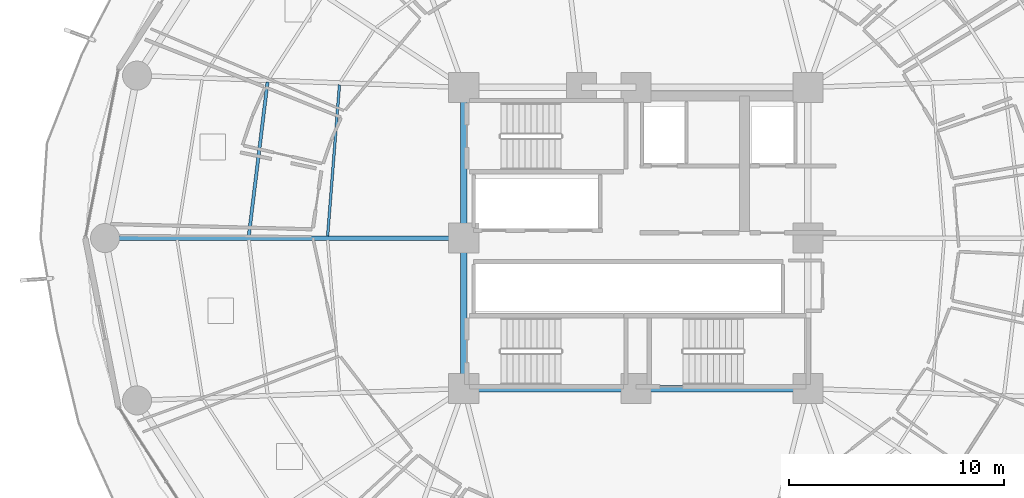
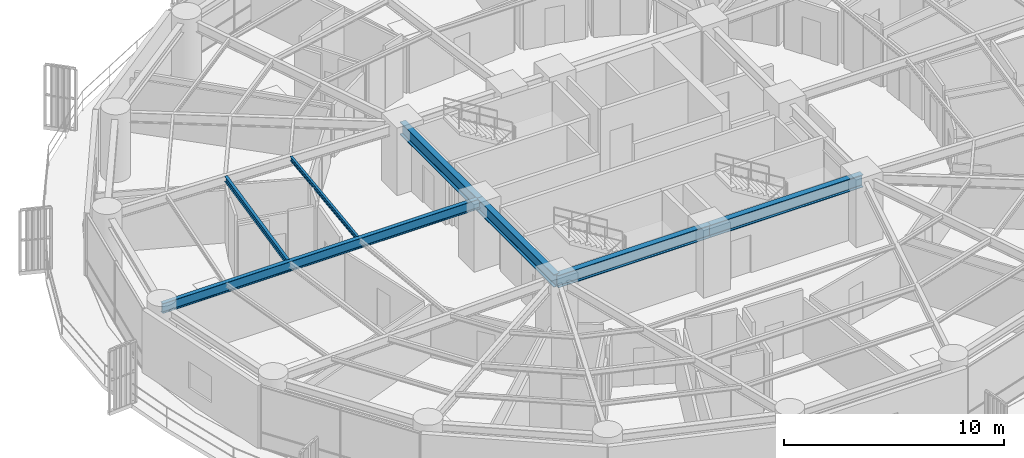
# One storey, part 7 of 34: 7 beams.
"""IFC4 building model written with IfcOpenShell, lengths in metres."""

from ifc_helpers import new_model, si_unit, direction, frame, origin, origin_2d, place, context, subcontext, project, spatial, i_section, extrude, material, material_profile, profile_set, type_object, element, save


model = new_model("IFC4")

# Units and contexts
model_context = context("Model", 3, precision=1e-05, world=origin(), true_north=direction((0.0, 1.0)))
body_context = subcontext(model_context, "Body", "Model", "MODEL_VIEW")
ifc_project = project(units=[si_unit("LENGTHUNIT", "METRE"), si_unit("AREAUNIT", "SQUARE_METRE"), si_unit("VOLUMEUNIT", "CUBIC_METRE"), si_unit("PLANEANGLEUNIT", "RADIAN"), si_unit("MASSUNIT", "GRAM", prefix="KILO")], contexts=[model_context])

# Site, building, storey
site_placement = place(None, origin())
site = spatial("IfcSite", under=ifc_project, at=site_placement, CompositionType="ELEMENT")
building_placement = place(site_placement, origin())
building = spatial("IfcBuilding", under=site, at=building_placement, Name="Kelanora Arch Commons", CompositionType="ELEMENT")
storey_placement = place(building_placement, frame((0.0, 0.0, 76.35009765625)))
storey = spatial("IfcBuildingStorey", under=building, at=storey_placement, Name="L19", CompositionType="ELEMENT", Elevation=76.35009765625)

# Beams
ifc_material = material(Name="Steel S355", Category="steel")
ifc_material_profile_1 = material_profile(ifc_material, i_section(OverallWidth=0.300048828125, OverallDepth=0.699951171875, WebThickness=0.01708984375, FlangeThickness=0.031982421875, FilletRadius=0.027099609375, at=origin_2d()), Name="HEB700")
ifc_profile_set_1 = profile_set([ifc_material_profile_1], Name="Steel S355")
beam_type_1 = type_object("IfcBeamType", Name="BM-CORE-HDR", PredefinedType="BEAM", material=ifc_profile_set_1)
for number, where, z_axis, x_axis, name in (
    (1, (66.0, 51.0, 3.139892578125), (1.0, 0.0, 0.0), (0.0, 1.0, 0.0), "Core Header Beam 01 L19"),
    (2, (74.0, 51.0, 3.139892578125), (1.0, 0.0, 0.0), (0.0, 1.0, 0.0), "Core Header Beam 02 L19"),
):
    element("IfcBeam", number, at=place(storey_placement, frame(where, z_axis=z_axis, x_axis=x_axis)), inside=storey, type_object=beam_type_1, Name=name, PredefinedType="BEAM", context=body_context, shape_type="SweptSolid", body=[
        extrude(i_section(OverallWidth=0.300048828125, OverallDepth=0.699951171875, WebThickness=0.01708984375, FlangeThickness=0.031982421875, FilletRadius=0.027099609375, at=origin_2d()), origin(), (0.0, 0.0, 1.0), 8.0),
    ])
for number, where, z_axis, x_axis, name in (
    (3, (66.0, 65.0, 3.139892578125), (0.0, -1.0, 0.0), (1.0, 0.0, 0.0), "Core Header Beam 08 L19"),
    (4, (66.0, 58.0, 3.139892578125), (0.0, -1.0, 0.0), (1.0, 0.0, 0.0), "Core Header Beam 09 L19"),
):
    element("IfcBeam", number, at=place(storey_placement, frame(where, z_axis=z_axis, x_axis=x_axis)), inside=storey, type_object=beam_type_1, Name=name, PredefinedType="BEAM", context=body_context, shape_type="SweptSolid", body=[
        extrude(i_section(OverallWidth=0.300048828125, OverallDepth=0.699951171875, WebThickness=0.01708984375, FlangeThickness=0.031982421875, FilletRadius=0.027099609375, at=origin_2d()), origin(), (0.0, 0.0, 1.0), 7.0),
    ])
ifc_material_profile_2 = material_profile(ifc_material, i_section(OverallWidth=0.14990234375, OverallDepth=0.300048828125, WebThickness=0.007080078125, FlangeThickness=0.0107421875, FilletRadius=0.014892578125, at=origin_2d()), Name="IPE300")
ifc_profile_set_2 = profile_set([ifc_material_profile_2], Name="Steel S355")
beam_type_2 = type_object("IfcBeamType", Name="BM-JST-01", PredefinedType="JOIST", material=ifc_profile_set_2)
beam_1_placement = place(storey_placement, frame((56.874755859375, 65.24658203125, 3.33984375), z_axis=(-0.120935645266, -0.992660349618, 0.0), x_axis=(0.992660349618, -0.120935645266, 0.0)))
element("IfcBeam", 5, at=beam_1_placement, inside=storey, type_object=beam_type_2, Name="Secondary Chord Joist BJB-16 L19", PredefinedType="JOIST", context=body_context, shape_type="SweptSolid", body=[
    extrude(i_section(OverallWidth=0.14990234375, OverallDepth=0.300048828125, WebThickness=0.007080078125, FlangeThickness=0.0107421875, FilletRadius=0.014892578125, at=origin_2d()), origin(), (0.0, 0.0, 1.0), 7.215087890625),
])
ifc_material_profile_3 = material_profile(ifc_material, i_section(OverallWidth=0.1201171875, OverallDepth=0.239990234375, WebThickness=0.006103515625, FlangeThickness=0.009765625, FilletRadius=0.014892578125, at=origin_2d()), Name="IPE240")
ifc_profile_set_3 = profile_set([ifc_material_profile_3], Name="Steel S355")
beam_type_3 = type_object("IfcBeamType", Name="BM-JST-02", PredefinedType="JOIST", material=ifc_profile_set_3)
beam_2_placement = place(storey_placement, frame((60.220458984375, 65.125, 3.369873046875), z_axis=(-0.078200677502, -0.996937637989, 0.0), x_axis=(0.996937637989, -0.078200677502, 0.0)))
element("IfcBeam", 6, at=beam_2_placement, inside=storey, type_object=beam_type_3, Name="Secondary Chord Joist BJA-16 L19", PredefinedType="JOIST", context=body_context, shape_type="SweptSolid", body=[
    extrude(i_section(OverallWidth=0.1201171875, OverallDepth=0.239990234375, WebThickness=0.006103515625, FlangeThickness=0.009765625, FilletRadius=0.014892578125, at=origin_2d()), origin(), (0.0, 0.0, 1.0), 7.06201171875),
])
ifc_material_profile_4 = material_profile(ifc_material, i_section(OverallWidth=0.2099609375, OverallDepth=0.550048828125, WebThickness=0.010986328125, FlangeThickness=0.01708984375, FilletRadius=0.02392578125, at=origin_2d()), Name="IPE550")
ifc_profile_set_4 = profile_set([ifc_material_profile_4], Name="Steel S355")
beam_type_4 = type_object("IfcBeamType", Name="BM-RAD-Z2", PredefinedType="BEAM", material=ifc_profile_set_4)
beam_3_placement = place(storey_placement, frame((66.0, 58.0, 3.21484375), z_axis=(-1.0, 0.0, 0.0), x_axis=(0.0, -1.0, 0.0)))
element("IfcBeam", 7, at=beam_3_placement, inside=storey, type_object=beam_type_4, Name="Radial Floor Girder BR-18 L19", PredefinedType="BEAM", context=body_context, shape_type="SweptSolid", body=[
    extrude(i_section(OverallWidth=0.2099609375, OverallDepth=0.550048828125, WebThickness=0.010986328125, FlangeThickness=0.01708984375, FilletRadius=0.02392578125, at=origin_2d()), origin(), (0.0, 0.0, 1.0), 16.679931640625),
])

save(model, "model.ifc")
